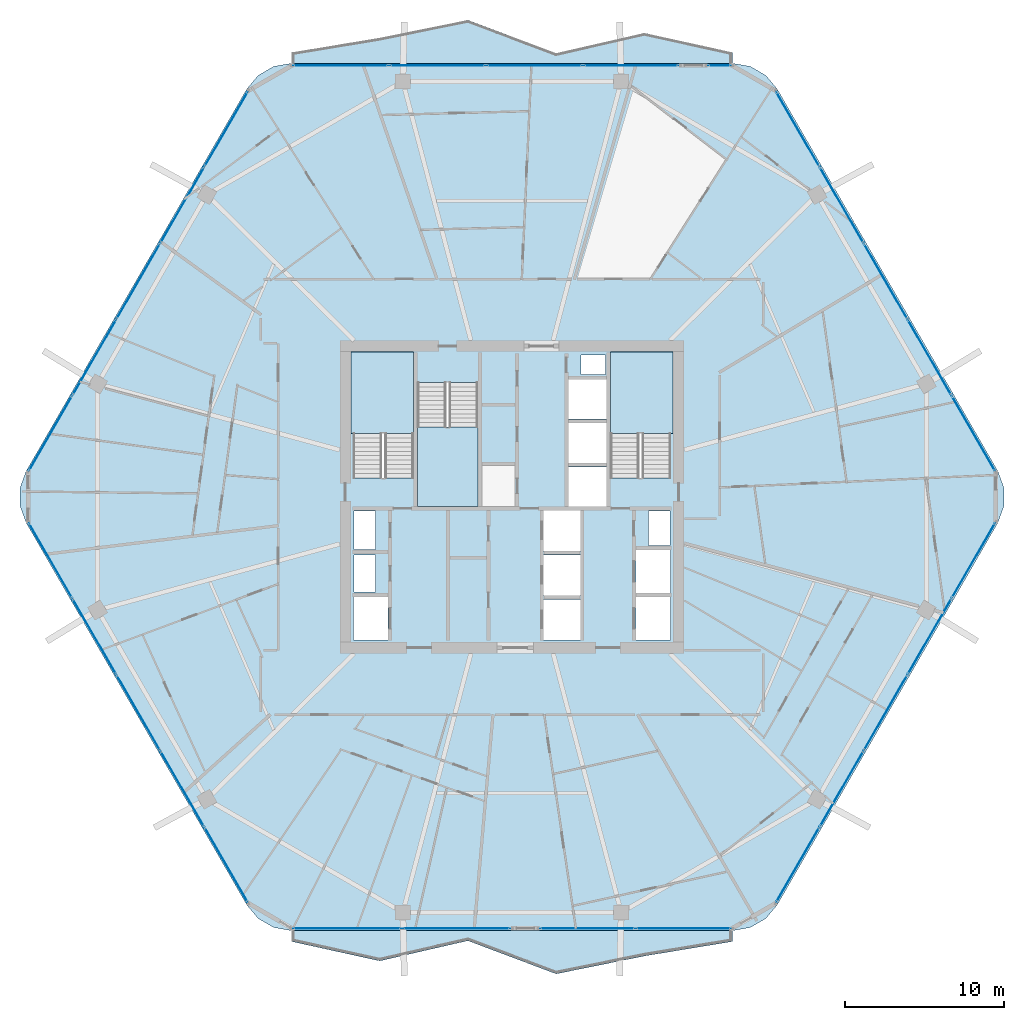
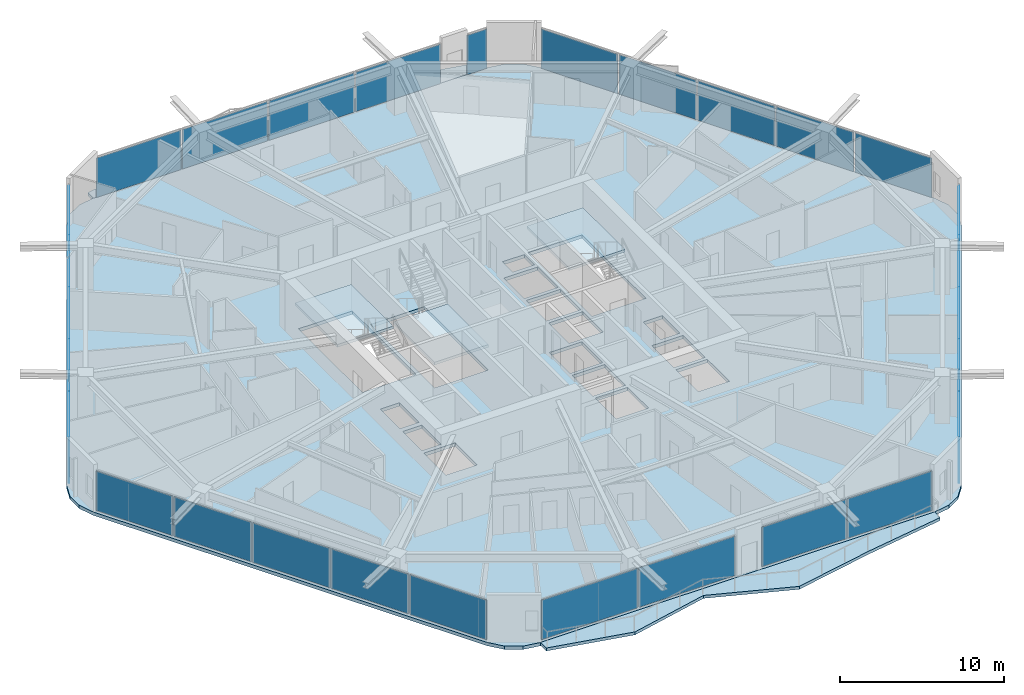
# One storey, part 17 of 25: 29 plates, 6 slabs, 11 elements without a shape of their own.
"""IFC4 building model written with IfcOpenShell, lengths in metres."""

from ifc_helpers import new_model, si_unit, direction, frame, origin, origin_2d, place, context, subcontext, project, spatial, polyline, rectangle, outline, extrude, material, layer, layer_set, type_object, element, aggregate, save


model = new_model("IFC4")

# Units and contexts
model_context = context("Model", 3, precision=1e-05, world=origin(), true_north=direction((0.0, 1.0)))
body_context = subcontext(model_context, "Body", "Model", "MODEL_VIEW")
ifc_project = project(units=[si_unit("LENGTHUNIT", "METRE"), si_unit("AREAUNIT", "SQUARE_METRE"), si_unit("VOLUMEUNIT", "CUBIC_METRE"), si_unit("PLANEANGLEUNIT", "RADIAN"), si_unit("MASSUNIT", "GRAM", prefix="KILO")], contexts=[model_context])

# Site, building, storey
site_placement = place(None, origin())
site = spatial("IfcSite", under=ifc_project, at=site_placement, CompositionType="ELEMENT")
building_placement = place(site_placement, origin())
building = spatial("IfcBuilding", under=site, at=building_placement, Name="Zuhravey Tower", CompositionType="ELEMENT")
storey_placement = place(building_placement, frame((0.0, 0.0, 196.0)))
storey = spatial("IfcBuildingStorey", under=building, at=storey_placement, Name="L49", CompositionType="ELEMENT", Elevation=196.0)

# Slabs
ifc_material_1 = material(Name="Concrete C50/60", Category="concrete")
ifc_layer_1 = layer(ifc_material_1, 0.25)
ifc_layer_set_1 = layer_set([ifc_layer_1], Name="Concrete C50/60")
slab_type_1 = type_object("IfcSlabType", Name="Residential Acoustic Slab 250", PredefinedType="FLOOR", material=ifc_layer_set_1)
slab_1_placement = place(storey_placement, frame((0.0, 0.0, -0.25)))
element("IfcSlab", 1, at=slab_1_placement, inside=storey, type_object=slab_type_1, Name="L49 Floor Slab FS25", PredefinedType="FLOOR", context=body_context, shape_type="SweptSolid", body=[
    extrude(outline(polyline([(66.61181640625, 30.375), (66.997802734375, 31.435546875), (66.997802734375, 32.564453125), (66.61181640625, 33.625), (52.713134765625, 57.697998046875), (51.98779296875, 58.562744140625), (51.01025390625, 59.127197265625), (49.898681640625, 59.322998046875), (22.101318359375, 59.322998046875), (20.98974609375, 59.127197265625), (20.01220703125, 58.562744140625), (19.286865234375, 57.697998046875), (5.38818359375, 33.625), (5.002197265625, 32.564453125), (5.002197265625, 31.435546875), (5.38818359375, 30.375), (19.286865234375, 6.302001953125), (20.01220703125, 5.437255859375), (20.98974609375, 4.872802734375), (22.101318359375, 4.677001953125), (49.898681640625, 4.677001953125), (51.01025390625, 4.872802734375), (51.98779296875, 5.437255859375), (52.713134765625, 6.302001953125), (66.61181640625, 30.375)]), holes=[polyline([(29.800048828125, 33.20068359375), (29.800048828125, 41.0), (26.0, 41.0), (26.0, 33.20068359375), (29.800048828125, 33.20068359375)]), polyline([(46.0, 33.20068359375), (46.0, 41.0), (42.199951171875, 41.0), (42.199951171875, 33.20068359375), (46.0, 33.20068359375)]), polyline([(30.050048828125, 39.199462890625), (30.050048828125, 31.39990234375), (33.85009765625, 31.39990234375), (33.85009765625, 39.199462890625), (30.050048828125, 39.199462890625)]), polyline([(38.0, 23.0), (40.300048828125, 23.0), (40.300048828125, 25.550048828125), (38.0, 25.550048828125), (38.0, 23.0)]), polyline([(38.0, 25.800048828125), (40.300048828125, 25.800048828125), (40.300048828125, 28.35009765625), (38.0, 28.35009765625), (38.0, 25.800048828125)]), polyline([(38.0, 28.60009765625), (40.300048828125, 28.60009765625), (40.300048828125, 31.14990234375), (38.0, 31.14990234375), (38.0, 28.60009765625)]), polyline([(39.550048828125, 31.39990234375), (41.949951171875, 31.39990234375), (41.949951171875, 33.89990234375), (39.550048828125, 33.89990234375), (39.550048828125, 31.39990234375)]), polyline([(39.550048828125, 34.14990234375), (41.949951171875, 34.14990234375), (41.949951171875, 36.64990234375), (39.550048828125, 36.64990234375), (39.550048828125, 34.14990234375)]), polyline([(39.550048828125, 36.89990234375), (41.949951171875, 36.89990234375), (41.949951171875, 39.39990234375), (39.550048828125, 39.39990234375), (39.550048828125, 36.89990234375)]), polyline([(26.0, 23.0), (28.199951171875, 23.0), (28.199951171875, 25.699951171875), (26.0, 25.699951171875), (26.0, 23.0)]), polyline([(43.800048828125, 23.0), (46.0, 23.0), (46.0, 25.699951171875), (43.800048828125, 25.699951171875), (43.800048828125, 23.0)]), polyline([(43.800048828125, 25.949951171875), (46.0, 25.949951171875), (46.0, 28.64990234375), (43.800048828125, 28.64990234375), (43.800048828125, 25.949951171875)]), polyline([(26.050048828125, 26.0), (27.39990234375, 26.0), (27.39990234375, 28.35009765625), (26.050048828125, 28.35009765625), (26.050048828125, 26.0)]), polyline([(26.050048828125, 28.699951171875), (27.39990234375, 28.699951171875), (27.39990234375, 31.10009765625), (26.050048828125, 31.10009765625), (26.050048828125, 28.699951171875)]), polyline([(44.60009765625, 28.949951171875), (45.949951171875, 28.949951171875), (45.949951171875, 31.10009765625), (44.60009765625, 31.10009765625), (44.60009765625, 28.949951171875)]), polyline([(40.35009765625, 39.699951171875), (41.89990234375, 39.699951171875), (41.89990234375, 40.949951171875), (40.35009765625, 40.949951171875), (40.35009765625, 39.699951171875)])]), origin(), (0.0, 0.0, 1.0), 0.25),
])
ifc_material_2 = material(Name="Concrete C40/50", Category="concrete")
ifc_layer_2 = layer(ifc_material_2, 0.219970703125)
ifc_layer_set_2 = layer_set([ifc_layer_2], Name="Concrete C40/50")
slab_type_2 = type_object("IfcSlabType", Name="Sinusoidal Residential Wave Balcony 220", PredefinedType="FLOOR", material=ifc_layer_set_2)
slab_2_placement = place(storey_placement, frame((0.0, 0.0, -0.219970703125)))
element("IfcSlab", 2, at=slab_2_placement, inside=storey, type_object=slab_type_2, Name="L49 Face 2 Wave Balcony WB22", PredefinedType="FLOOR", context=body_context, shape_type="SweptSolid", body=[
    extrude(outline(polyline([(49.889892578125, 59.30810546875), (22.110107421875, 59.30810546875), (22.110107421875, 60.008056640625), (27.666015625, 60.92431640625), (33.221923828125, 62.05029296875), (38.778076171875, 59.958740234375), (44.333984375, 61.23291015625), (49.889892578125, 60.008056640625), (49.889892578125, 59.30810546875)])), origin(), (0.0, 0.0, 1.0), 0.219970703125),
])
slab_3_placement = place(storey_placement, frame((0.0, 0.0, -0.219970703125)))
element("IfcSlab", 3, at=slab_3_placement, inside=storey, type_object=slab_type_2, Name="L49 Face 5 Wave Balcony WB22", PredefinedType="FLOOR", context=body_context, shape_type="SweptSolid", body=[
    extrude(outline(polyline([(22.110107421875, 4.69189453125), (49.889892578125, 4.69189453125), (49.889892578125, 3.991943359375), (44.333984375, 3.07568359375), (38.778076171875, 1.94970703125), (33.221923828125, 4.041259765625), (27.666015625, 2.76708984375), (22.110107421875, 3.991943359375), (22.110107421875, 4.69189453125)])), origin(), (0.0, 0.0, 1.0), 0.219970703125),
])

# Stair, slab
stair_type = type_object("IfcStairType", Name="Housing Storey Stair Assembly 3800", PredefinedType="HALF_TURN_STAIR", material=ifc_material_2)
stair_1_placement = place(storey_placement, origin())
stair_1 = element("IfcStair", 4, at=stair_1_placement, inside=storey, type_object=stair_type, Name="L49 Core Exit Stair ST1", PredefinedType="HALF_TURN_STAIR")
ifc_layer_3 = layer(ifc_material_2, 0.199951171875)
ifc_layer_set_3 = layer_set([ifc_layer_3], Name="Concrete C40/50")
slab_type_3 = type_object("IfcSlabType", Name="Stair Landing Slab 200", PredefinedType="LANDING", material=ifc_layer_set_3)
slab_4_placement = place(storey_placement, frame((0.0, 0.0, 1.699951171875)))
slab_4 = element("IfcSlab", 5, at=slab_4_placement, type_object=slab_type_3, Name="ST1 landing 1", PredefinedType="LANDING", context=body_context, shape_type="SweptSolid", body=[
    extrude(outline(polyline([(29.800048828125, 36.0), (29.800048828125, 41.14794921875), (25.85205078125, 41.14794921875), (25.85205078125, 36.0), (29.800048828125, 36.0)])), origin(), (0.0, 0.0, 1.0), 0.199951171875),
])
aggregate(stair_1, [slab_4])

stair_2_placement = place(storey_placement, origin())
stair_2 = element("IfcStair", 6, at=stair_2_placement, inside=storey, type_object=stair_type, Name="L49 Core Exit Stair ST2", PredefinedType="HALF_TURN_STAIR")
slab_5_placement = place(storey_placement, frame((0.0, 0.0, 1.699951171875)))
slab_5 = element("IfcSlab", 7, at=slab_5_placement, type_object=slab_type_3, Name="ST2 landing 1", PredefinedType="LANDING", context=body_context, shape_type="SweptSolid", body=[
    extrude(outline(polyline([(46.14794921875, 36.0), (46.14794921875, 41.14794921875), (42.199951171875, 41.14794921875), (42.199951171875, 36.0), (46.14794921875, 36.0)])), origin(), (0.0, 0.0, 1.0), 0.199951171875),
])
aggregate(stair_2, [slab_5])

stair_3_placement = place(storey_placement, origin())
stair_3 = element("IfcStair", 8, at=stair_3_placement, inside=storey, type_object=stair_type, Name="L49 Core Exit Stair ST3", PredefinedType="HALF_TURN_STAIR")
slab_6_placement = place(storey_placement, frame((0.0, 0.0, 1.699951171875)))
slab_6 = element("IfcSlab", 9, at=slab_6_placement, type_object=slab_type_3, Name="ST3 landing 1", PredefinedType="LANDING", context=body_context, shape_type="SweptSolid", body=[
    extrude(outline(polyline([(30.050048828125, 36.39990234375), (30.050048828125, 31.39990234375), (33.85009765625, 31.39990234375), (33.85009765625, 36.39990234375), (30.050048828125, 36.39990234375)])), origin(), (0.0, 0.0, 1.0), 0.199951171875),
])
aggregate(stair_3, [slab_6])

# Curtain wall, plates
ifc_material_3 = material(Name="Thermally broken anodised aluminium", Category="aluminium")
curtain_wall_type = type_object("IfcCurtainWallType", Name="Zone 1-2 Residential Curtain Wall CW3", PredefinedType="NOTDEFINED", material=ifc_material_3)
curtain_wall_1_placement = place(storey_placement, origin())
curtain_wall_1 = element("IfcCurtainWall", 10, at=curtain_wall_1_placement, inside=storey, type_object=curtain_wall_type, Name="L49 CW3 CW-L49-F6-1", PredefinedType="NOTDEFINED")
ifc_material_4 = material(Name="Triple low-E insulated vision glass", Category="glass")
ifc_layer_4 = layer(ifc_material_4, 0.0419921875)
ifc_layer_set_4 = layer_set([ifc_layer_4], Name="Triple low-E insulated vision glass")
plate_type = type_object("IfcPlateType", Name="Triple Low-E Vision Panel", PredefinedType="CURTAIN_PANEL", material=ifc_layer_set_4)
plate_1_placement = place(storey_placement, frame((65.074462890625, 27.9921875, 0.090087890625), z_axis=(0.0, 0.0, 1.0), x_axis=(-0.500000459979, -0.866025138215, 0.0)))
plate_1 = element("IfcPlate", 11, at=plate_1_placement, type_object=plate_type, Name="CW3 panel 1.1", PredefinedType="CURTAIN_PANEL", context=body_context, shape_type="SweptSolid", body=[
    extrude(rectangle(XDim=5.409423828125, YDim=0.0419921875, at=origin_2d()), origin(), (0.0, 0.0, 1.0), 2.94189453125),
])
plate_2_placement = place(storey_placement, frame((62.3134765625, 23.2099609375, 0.090087890625), z_axis=(0.0, 0.0, 1.0), x_axis=(-0.500000459979, -0.866025138215, 0.0)))
plate_2 = element("IfcPlate", 12, at=plate_2_placement, type_object=plate_type, Name="CW3 panel 2.1", PredefinedType="CURTAIN_PANEL", context=body_context, shape_type="SweptSolid", body=[
    extrude(rectangle(XDim=5.454345703125, YDim=0.0419921875, at=origin_2d()), origin(), (0.0, 0.0, 1.0), 2.94189453125),
])
plate_3_placement = place(storey_placement, frame((59.541259765625, 18.408447265625, 0.090087890625), z_axis=(0.0, 0.0, 1.0), x_axis=(-0.500000459979, -0.866025138215, 0.0)))
plate_3 = element("IfcPlate", 13, at=plate_3_placement, type_object=plate_type, Name="CW3 panel 3.1", PredefinedType="CURTAIN_PANEL", context=body_context, shape_type="SweptSolid", body=[
    extrude(rectangle(XDim=5.454345703125, YDim=0.0419921875, at=origin_2d()), origin(), (0.0, 0.0, 1.0), 2.94189453125),
])
plate_4_placement = place(storey_placement, frame((56.76904296875, 13.60693359375, 0.090087890625), z_axis=(0.0, 0.0, 1.0), x_axis=(-0.500000459979, -0.866025138215, 0.0)))
plate_4 = element("IfcPlate", 14, at=plate_4_placement, type_object=plate_type, Name="CW3 panel 4.1", PredefinedType="CURTAIN_PANEL", context=body_context, shape_type="SweptSolid", body=[
    extrude(rectangle(XDim=5.454345703125, YDim=0.0419921875, at=origin_2d()), origin(), (0.0, 0.0, 1.0), 2.94189453125),
])
plate_5_placement = place(storey_placement, frame((54.008056640625, 8.82470703125, 0.090087890625), z_axis=(0.0, 0.0, 1.0), x_axis=(-0.500000459979, -0.866025138215, 0.0)))
plate_5 = element("IfcPlate", 15, at=plate_5_placement, type_object=plate_type, Name="CW3 panel 5.1", PredefinedType="CURTAIN_PANEL", context=body_context, shape_type="SweptSolid", body=[
    extrude(rectangle(XDim=5.409423828125, YDim=0.0419921875, at=origin_2d()), origin(), (0.0, 0.0, 1.0), 2.94189453125),
])
aggregate(curtain_wall_1, [plate_1, plate_2, plate_3, plate_4, plate_5])

curtain_wall_2_placement = place(storey_placement, origin())
curtain_wall_2 = element("IfcCurtainWall", 16, at=curtain_wall_2_placement, inside=storey, type_object=curtain_wall_type, Name="L49 CW3 CW-L49-F5-1", PredefinedType="NOTDEFINED")
plate_6_placement = place(storey_placement, frame((46.79638671875, 4.81689453125, 0.090087890625), z_axis=(0.0, 0.0, 1.0), x_axis=(-1.0, 0.0, 0.0)))
plate_6 = element("IfcPlate", 17, at=plate_6_placement, type_object=plate_type, Name="CW3 panel 1.1", PredefinedType="CURTAIN_PANEL", context=body_context, shape_type="SweptSolid", body=[
    extrude(rectangle(XDim=5.949462890625, YDim=0.0419921875, at=origin_2d()), origin(), (0.0, 0.0, 1.0), 2.94189453125),
])
plate_7_placement = place(storey_placement, frame((40.7568359375, 4.81689453125, 0.090087890625), z_axis=(0.0, 0.0, 1.0), x_axis=(-1.0, 0.0, 0.0)))
plate_7 = element("IfcPlate", 18, at=plate_7_placement, type_object=plate_type, Name="CW3 panel 2.1", PredefinedType="CURTAIN_PANEL", context=body_context, shape_type="SweptSolid", body=[
    extrude(rectangle(XDim=5.949462890625, YDim=0.0419921875, at=origin_2d()), origin(), (0.0, 0.0, 1.0), 2.94189453125),
])
aggregate(curtain_wall_2, [plate_6, plate_7])

curtain_wall_3_placement = place(storey_placement, origin())
curtain_wall_3 = element("IfcCurtainWall", 19, at=curtain_wall_3_placement, inside=storey, type_object=curtain_wall_type, Name="L49 CW3 CW-L49-F5-2", PredefinedType="NOTDEFINED")
plate_8_placement = place(storey_placement, frame((32.50634765625, 4.81689453125, 0.090087890625), z_axis=(0.0, 0.0, 1.0), x_axis=(-1.0, 0.0, 0.0)))
plate_8 = element("IfcPlate", 20, at=plate_8_placement, type_object=plate_type, Name="CW3 panel 1.1", PredefinedType="CURTAIN_PANEL", context=body_context, shape_type="SweptSolid", body=[
    extrude(rectangle(XDim=6.79150390625, YDim=0.0419921875, at=origin_2d()), origin(), (0.0, 0.0, 1.0), 2.94189453125),
])
plate_9_placement = place(storey_placement, frame((25.624755859375, 4.81689453125, 0.090087890625), z_axis=(0.0, 0.0, 1.0), x_axis=(-1.0, 0.0, 0.0)))
plate_9 = element("IfcPlate", 21, at=plate_9_placement, type_object=plate_type, Name="CW3 panel 2.1", PredefinedType="CURTAIN_PANEL", context=body_context, shape_type="SweptSolid", body=[
    extrude(rectangle(XDim=6.79150390625, YDim=0.0419921875, at=origin_2d()), origin(), (0.0, 0.0, 1.0), 2.94189453125),
])
aggregate(curtain_wall_3, [plate_8, plate_9])

curtain_wall_4_placement = place(storey_placement, origin())
curtain_wall_4 = element("IfcCurtainWall", 22, at=curtain_wall_4_placement, inside=storey, type_object=curtain_wall_type, Name="L49 CW3 CW-L49-F4-1", PredefinedType="NOTDEFINED")
plate_10_placement = place(storey_placement, frame((17.991943359375, 8.82470703125, 0.090087890625), z_axis=(0.0, 0.0, 1.0), x_axis=(-0.500000459979, 0.866025138215, 0.0)))
plate_10 = element("IfcPlate", 23, at=plate_10_placement, type_object=plate_type, Name="CW3 panel 1.1", PredefinedType="CURTAIN_PANEL", context=body_context, shape_type="SweptSolid", body=[
    extrude(rectangle(XDim=5.409423828125, YDim=0.0419921875, at=origin_2d()), origin(), (0.0, 0.0, 1.0), 2.94189453125),
])
plate_11_placement = place(storey_placement, frame((15.23095703125, 13.60693359375, 0.090087890625), z_axis=(0.0, 0.0, 1.0), x_axis=(-0.500000459979, 0.866025138215, 0.0)))
plate_11 = element("IfcPlate", 24, at=plate_11_placement, type_object=plate_type, Name="CW3 panel 2.1", PredefinedType="CURTAIN_PANEL", context=body_context, shape_type="SweptSolid", body=[
    extrude(rectangle(XDim=5.454345703125, YDim=0.0419921875, at=origin_2d()), origin(), (0.0, 0.0, 1.0), 2.94189453125),
])
plate_12_placement = place(storey_placement, frame((12.458740234375, 18.408447265625, 0.090087890625), z_axis=(0.0, 0.0, 1.0), x_axis=(-0.500000459979, 0.866025138215, 0.0)))
plate_12 = element("IfcPlate", 25, at=plate_12_placement, type_object=plate_type, Name="CW3 panel 3.1", PredefinedType="CURTAIN_PANEL", context=body_context, shape_type="SweptSolid", body=[
    extrude(rectangle(XDim=5.454345703125, YDim=0.0419921875, at=origin_2d()), origin(), (0.0, 0.0, 1.0), 2.94189453125),
])
plate_13_placement = place(storey_placement, frame((9.6865234375, 23.2099609375, 0.090087890625), z_axis=(0.0, 0.0, 1.0), x_axis=(-0.500000459979, 0.866025138215, 0.0)))
plate_13 = element("IfcPlate", 26, at=plate_13_placement, type_object=plate_type, Name="CW3 panel 4.1", PredefinedType="CURTAIN_PANEL", context=body_context, shape_type="SweptSolid", body=[
    extrude(rectangle(XDim=5.454345703125, YDim=0.0419921875, at=origin_2d()), origin(), (0.0, 0.0, 1.0), 2.94189453125),
])
plate_14_placement = place(storey_placement, frame((6.925537109375, 27.9921875, 0.090087890625), z_axis=(0.0, 0.0, 1.0), x_axis=(-0.500000459979, 0.866025138215, 0.0)))
plate_14 = element("IfcPlate", 27, at=plate_14_placement, type_object=plate_type, Name="CW3 panel 5.1", PredefinedType="CURTAIN_PANEL", context=body_context, shape_type="SweptSolid", body=[
    extrude(rectangle(XDim=5.409423828125, YDim=0.0419921875, at=origin_2d()), origin(), (0.0, 0.0, 1.0), 2.94189453125),
])
aggregate(curtain_wall_4, [plate_10, plate_11, plate_12, plate_13, plate_14])

curtain_wall_5_placement = place(storey_placement, origin())
curtain_wall_5 = element("IfcCurtainWall", 28, at=curtain_wall_5_placement, inside=storey, type_object=curtain_wall_type, Name="L49 CW3 CW-L49-F3-1", PredefinedType="NOTDEFINED")
plate_15_placement = place(storey_placement, frame((6.925537109375, 36.0078125, 0.090087890625), z_axis=(0.0, 0.0, 1.0), x_axis=(0.500000459979, 0.866025138215, 0.0)))
plate_15 = element("IfcPlate", 29, at=plate_15_placement, type_object=plate_type, Name="CW3 panel 1.1", PredefinedType="CURTAIN_PANEL", context=body_context, shape_type="SweptSolid", body=[
    extrude(rectangle(XDim=5.409423828125, YDim=0.0419921875, at=origin_2d()), origin(), (0.0, 0.0, 1.0), 2.94189453125),
])
plate_16_placement = place(storey_placement, frame((9.6865234375, 40.7900390625, 0.090087890625), z_axis=(0.0, 0.0, 1.0), x_axis=(0.500000459979, 0.866025138215, 0.0)))
plate_16 = element("IfcPlate", 30, at=plate_16_placement, type_object=plate_type, Name="CW3 panel 2.1", PredefinedType="CURTAIN_PANEL", context=body_context, shape_type="SweptSolid", body=[
    extrude(rectangle(XDim=5.454345703125, YDim=0.0419921875, at=origin_2d()), origin(), (0.0, 0.0, 1.0), 2.94189453125),
])
plate_17_placement = place(storey_placement, frame((12.458740234375, 45.591552734375, 0.090087890625), z_axis=(0.0, 0.0, 1.0), x_axis=(0.500000459979, 0.866025138215, 0.0)))
plate_17 = element("IfcPlate", 31, at=plate_17_placement, type_object=plate_type, Name="CW3 panel 3.1", PredefinedType="CURTAIN_PANEL", context=body_context, shape_type="SweptSolid", body=[
    extrude(rectangle(XDim=5.454345703125, YDim=0.0419921875, at=origin_2d()), origin(), (0.0, 0.0, 1.0), 2.94189453125),
])
plate_18_placement = place(storey_placement, frame((15.23095703125, 50.39306640625, 0.090087890625), z_axis=(0.0, 0.0, 1.0), x_axis=(0.500000459979, 0.866025138215, 0.0)))
plate_18 = element("IfcPlate", 32, at=plate_18_placement, type_object=plate_type, Name="CW3 panel 4.1", PredefinedType="CURTAIN_PANEL", context=body_context, shape_type="SweptSolid", body=[
    extrude(rectangle(XDim=5.454345703125, YDim=0.0419921875, at=origin_2d()), origin(), (0.0, 0.0, 1.0), 2.94189453125),
])
plate_19_placement = place(storey_placement, frame((17.991943359375, 55.17529296875, 0.090087890625), z_axis=(0.0, 0.0, 1.0), x_axis=(0.500000459979, 0.866025138215, 0.0)))
plate_19 = element("IfcPlate", 33, at=plate_19_placement, type_object=plate_type, Name="CW3 panel 5.1", PredefinedType="CURTAIN_PANEL", context=body_context, shape_type="SweptSolid", body=[
    extrude(rectangle(XDim=5.409423828125, YDim=0.0419921875, at=origin_2d()), origin(), (0.0, 0.0, 1.0), 2.94189453125),
])
aggregate(curtain_wall_5, [plate_15, plate_16, plate_17, plate_18, plate_19])

curtain_wall_6_placement = place(storey_placement, origin())
curtain_wall_6 = element("IfcCurtainWall", 34, at=curtain_wall_6_placement, inside=storey, type_object=curtain_wall_type, Name="L49 CW3 CW-L49-F2-1", PredefinedType="NOTDEFINED")
plate_20_placement = place(storey_placement, frame((25.21630859375, 59.18310546875, 0.090087890625), z_axis=(0.0, 0.0, 1.0), x_axis=(1.0, 0.0, 0.0)))
plate_20 = element("IfcPlate", 35, at=plate_20_placement, type_object=plate_type, Name="CW3 panel 1.1", PredefinedType="CURTAIN_PANEL", context=body_context, shape_type="SweptSolid", body=[
    extrude(rectangle(XDim=5.974853515625, YDim=0.0419921875, at=origin_2d()), origin(), (0.0, 0.0, 1.0), 2.94189453125),
])
plate_21_placement = place(storey_placement, frame((31.303955078125, 59.18310546875, 0.090087890625), z_axis=(0.0, 0.0, 1.0), x_axis=(1.0, 0.0, 0.0)))
plate_21 = element("IfcPlate", 36, at=plate_21_placement, type_object=plate_type, Name="CW3 panel 2.1", PredefinedType="CURTAIN_PANEL", context=body_context, shape_type="SweptSolid", body=[
    extrude(rectangle(XDim=6.02001953125, YDim=0.0419921875, at=origin_2d()), origin(), (0.0, 0.0, 1.0), 2.94189453125),
])
plate_22_placement = place(storey_placement, frame((37.413818359375, 59.18310546875, 0.090087890625), z_axis=(0.0, 0.0, 1.0), x_axis=(1.0, 0.0, 0.0)))
plate_22 = element("IfcPlate", 37, at=plate_22_placement, type_object=plate_type, Name="CW3 panel 3.1", PredefinedType="CURTAIN_PANEL", context=body_context, shape_type="SweptSolid", body=[
    extrude(rectangle(XDim=6.02001953125, YDim=0.0419921875, at=origin_2d()), origin(), (0.0, 0.0, 1.0), 2.94189453125),
])
plate_23_placement = place(storey_placement, frame((43.501220703125, 59.18310546875, 0.090087890625), z_axis=(0.0, 0.0, 1.0), x_axis=(1.0, 0.0, 0.0)))
plate_23 = element("IfcPlate", 38, at=plate_23_placement, type_object=plate_type, Name="CW3 panel 4.1", PredefinedType="CURTAIN_PANEL", context=body_context, shape_type="SweptSolid", body=[
    extrude(rectangle(XDim=5.974853515625, YDim=0.0419921875, at=origin_2d()), origin(), (0.0, 0.0, 1.0), 2.94189453125),
])
aggregate(curtain_wall_6, [plate_20, plate_21, plate_22, plate_23])

# Curtain wall, plate
curtain_wall_7_placement = place(storey_placement, origin())
curtain_wall_7 = element("IfcCurtainWall", 39, at=curtain_wall_7_placement, inside=storey, type_object=curtain_wall_type, Name="L49 CW3 CW-L49-F2-2", PredefinedType="NOTDEFINED")
plate_24_placement = place(storey_placement, frame((49.070068359375, 59.18310546875, 0.090087890625), z_axis=(0.0, 0.0, 1.0), x_axis=(1.0, 0.0, 0.0)))
plate_24 = element("IfcPlate", 40, at=plate_24_placement, type_object=plate_type, Name="CW3 panel 1.1", PredefinedType="CURTAIN_PANEL", context=body_context, shape_type="SweptSolid", body=[
    extrude(rectangle(XDim=1.40234375, YDim=0.0419921875, at=origin_2d()), origin(), (0.0, 0.0, 1.0), 2.94189453125),
])
aggregate(curtain_wall_7, [plate_24])

# Curtain wall, plates
curtain_wall_8_placement = place(storey_placement, origin())
curtain_wall_8 = element("IfcCurtainWall", 41, at=curtain_wall_8_placement, inside=storey, type_object=curtain_wall_type, Name="L49 CW3 CW-L49-F1-1", PredefinedType="NOTDEFINED")
plate_25_placement = place(storey_placement, frame((54.008056640625, 55.17529296875, 0.090087890625), z_axis=(0.0, 0.0, 1.0), x_axis=(0.500000459979, -0.866025138215, 0.0)))
plate_25 = element("IfcPlate", 42, at=plate_25_placement, type_object=plate_type, Name="CW3 panel 1.1", PredefinedType="CURTAIN_PANEL", context=body_context, shape_type="SweptSolid", body=[
    extrude(rectangle(XDim=5.409423828125, YDim=0.0419921875, at=origin_2d()), origin(), (0.0, 0.0, 1.0), 2.94189453125),
])
plate_26_placement = place(storey_placement, frame((56.76904296875, 50.39306640625, 0.090087890625), z_axis=(0.0, 0.0, 1.0), x_axis=(0.500000459979, -0.866025138215, 0.0)))
plate_26 = element("IfcPlate", 43, at=plate_26_placement, type_object=plate_type, Name="CW3 panel 2.1", PredefinedType="CURTAIN_PANEL", context=body_context, shape_type="SweptSolid", body=[
    extrude(rectangle(XDim=5.454345703125, YDim=0.0419921875, at=origin_2d()), origin(), (0.0, 0.0, 1.0), 2.94189453125),
])
plate_27_placement = place(storey_placement, frame((59.541259765625, 45.591552734375, 0.090087890625), z_axis=(0.0, 0.0, 1.0), x_axis=(0.500000459979, -0.866025138215, 0.0)))
plate_27 = element("IfcPlate", 44, at=plate_27_placement, type_object=plate_type, Name="CW3 panel 3.1", PredefinedType="CURTAIN_PANEL", context=body_context, shape_type="SweptSolid", body=[
    extrude(rectangle(XDim=5.454345703125, YDim=0.0419921875, at=origin_2d()), origin(), (0.0, 0.0, 1.0), 2.94189453125),
])
plate_28_placement = place(storey_placement, frame((62.3134765625, 40.7900390625, 0.090087890625), z_axis=(0.0, 0.0, 1.0), x_axis=(0.500000459979, -0.866025138215, 0.0)))
plate_28 = element("IfcPlate", 45, at=plate_28_placement, type_object=plate_type, Name="CW3 panel 4.1", PredefinedType="CURTAIN_PANEL", context=body_context, shape_type="SweptSolid", body=[
    extrude(rectangle(XDim=5.454345703125, YDim=0.0419921875, at=origin_2d()), origin(), (0.0, 0.0, 1.0), 2.94189453125),
])
plate_29_placement = place(storey_placement, frame((65.074462890625, 36.0078125, 0.090087890625), z_axis=(0.0, 0.0, 1.0), x_axis=(0.500000459979, -0.866025138215, 0.0)))
plate_29 = element("IfcPlate", 46, at=plate_29_placement, type_object=plate_type, Name="CW3 panel 5.1", PredefinedType="CURTAIN_PANEL", context=body_context, shape_type="SweptSolid", body=[
    extrude(rectangle(XDim=5.409423828125, YDim=0.0419921875, at=origin_2d()), origin(), (0.0, 0.0, 1.0), 2.94189453125),
])
aggregate(curtain_wall_8, [plate_25, plate_26, plate_27, plate_28, plate_29])

save(model, "model.ifc")
